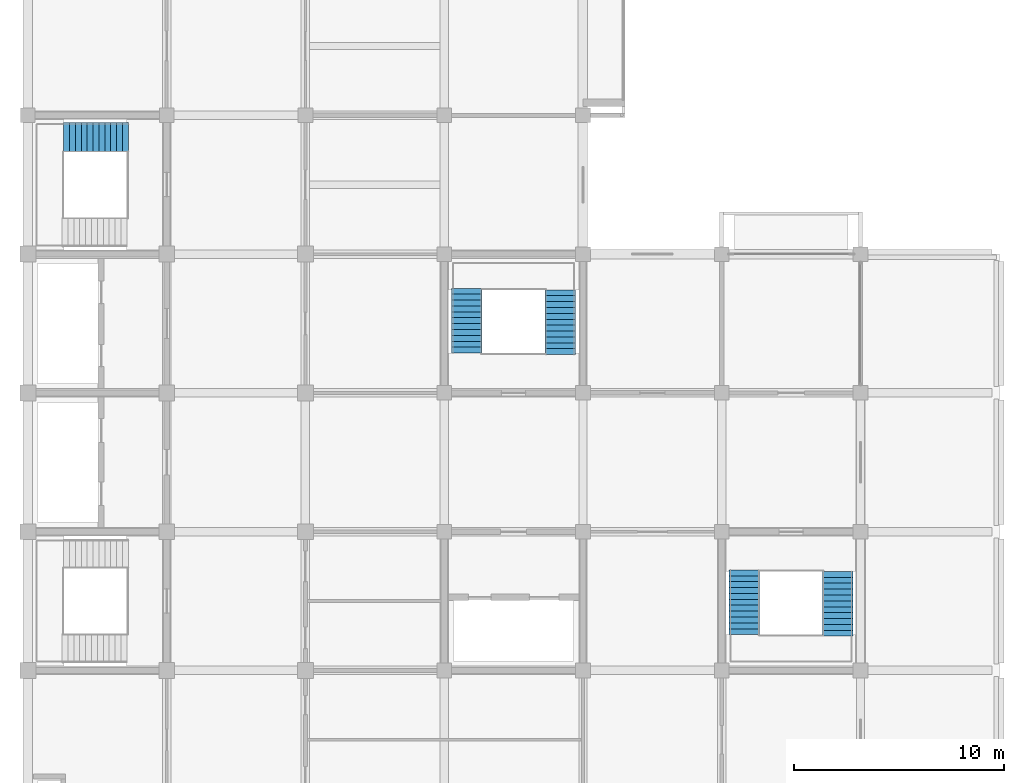
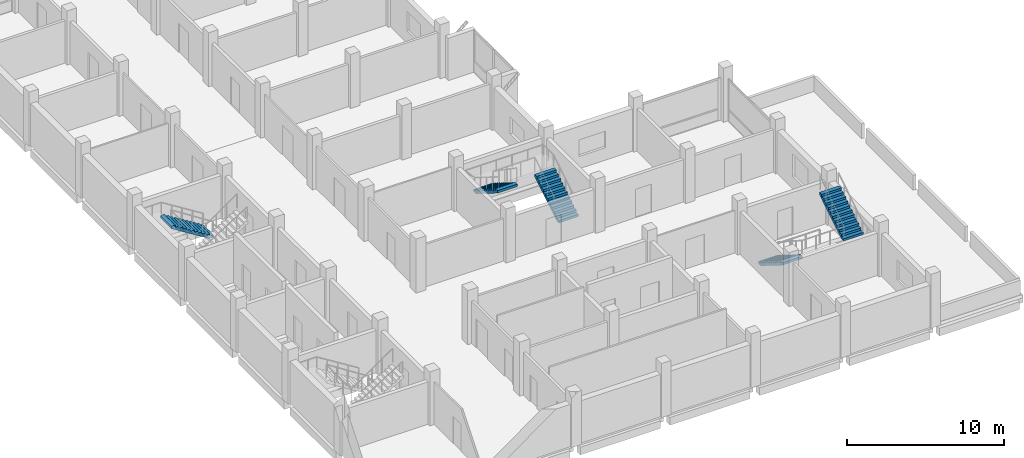
# One storey, part 9 of 10: 5 stair flights, 3 elements without a shape of their own.
"""IFC4 building model written with IfcOpenShell, lengths in metres."""

from ifc_helpers import new_model, si_unit, direction, frame, origin, place, context, subcontext, project, spatial, polyline, outline, extrude, material, type_object, element, aggregate, save


model = new_model("IFC4")

# Units and contexts
model_context = context("Model", 3, precision=1e-05, world=origin(), true_north=direction((0.0, 1.0)))
body_context = subcontext(model_context, "Body", "Model", "MODEL_VIEW")
ifc_project = project(units=[si_unit("LENGTHUNIT", "METRE"), si_unit("AREAUNIT", "SQUARE_METRE"), si_unit("VOLUMEUNIT", "CUBIC_METRE"), si_unit("PLANEANGLEUNIT", "RADIAN"), si_unit("MASSUNIT", "GRAM", prefix="KILO")], contexts=[model_context])

# Site, building, storey
site_placement = place(None, origin())
site = spatial("IfcSite", under=ifc_project, at=site_placement, CompositionType="ELEMENT")
building_placement = place(site_placement, origin())
building = spatial("IfcBuilding", under=site, at=building_placement, Name="Rusizi Kubbe Research Institute", CompositionType="ELEMENT")
storey_placement = place(building_placement, frame((0.0, 0.0, 43.800048828125)))
storey = spatial("IfcBuildingStorey", under=building, at=storey_placement, Name="L10", CompositionType="ELEMENT", Elevation=43.800048828125)

# Stair, stair flight
ifc_material_1 = material(Name="Concrete C40/50", Category="concrete")
stair_type_1 = type_object("IfcStairType", Name="ST-H420A", PredefinedType="HALF_TURN_STAIR", material=ifc_material_1)
stair_1_placement = place(storey_placement, origin())
stair_1 = element("IfcStair", 1, at=stair_1_placement, inside=storey, type_object=stair_type_1, Name="Protected Exit Stair ST2 (L10)", PredefinedType="HALF_TURN_STAIR")
ifc_material_2 = material(Name="Concrete C40/50", Category="concrete")
stair_flight_type_1 = type_object("IfcStairFlightType", Name="FL-H420A", PredefinedType="STRAIGHT", material=ifc_material_2)
stair_flight_1_placement = place(storey_placement, frame((4.780029296875, 31.949951171875, 0.0), z_axis=(0.0, 0.0, 1.0), x_axis=(-1.0, 0.0, 0.0)))
stair_flight_1 = element("IfcStairFlight", 2, at=stair_flight_1_placement, type_object=stair_flight_type_1, Name="ST2 flight 1", NumberOfRisers=12, NumberOfTreads=11, PredefinedType="STRAIGHT", RiserHeight=0.175, TreadLength=0.28, context=body_context, shape_type="SweptSolid", body=[
    extrude(outline(polyline([(0.0, 0.0), (0.0, 0.175048828125), (0.280029296875, 0.175048828125), (0.280029296875, 0.35009765625), (0.56005859375, 0.35009765625), (0.56005859375, 0.52490234375), (0.840087890625, 0.52490234375), (0.840087890625, 0.699951171875), (1.1201171875, 0.699951171875), (1.1201171875, 0.875), (1.39990234375, 0.875), (1.39990234375, 1.050048828125), (1.679931640625, 1.050048828125), (1.679931640625, 1.22509765625), (1.9599609375, 1.22509765625), (1.9599609375, 1.39990234375), (2.239990234375, 1.39990234375), (2.239990234375, 1.574951171875), (2.52001953125, 1.574951171875), (2.52001953125, 1.75), (2.800048828125, 1.75), (2.800048828125, 1.925048828125), (3.080078125, 1.925048828125), (3.080078125, 2.10009765625), (3.080078125, 1.736328125), (0.3017578125, 0.0), (0.0, 0.0)])), frame((0.0, 0.699951171875, 0.0), z_axis=(0.0, -1.0, 0.0), x_axis=(1.0, 0.0, 0.0)), (0.0, 0.0, 1.0), 1.39990234375),
])
aggregate(stair_1, [stair_flight_1])

# Stair, stair flights
ifc_material_3 = material(Name="Concrete C40/50", Category="concrete")
stair_type_2 = type_object("IfcStairType", Name="ST-H420B", PredefinedType="HALF_TURN_STAIR", material=ifc_material_3)
stair_2_placement = place(storey_placement, origin())
stair_2 = element("IfcStair", 3, at=stair_2_placement, inside=storey, type_object=stair_type_2, Name="Protected Exit Stair ST3 (L10)", PredefinedType="HALF_TURN_STAIR")
ifc_material_4 = material(Name="Concrete C40/50", Category="concrete")
stair_flight_type_2 = type_object("IfcStairFlightType", Name="FL-H420B", PredefinedType="STRAIGHT", material=ifc_material_4)
stair_flight_2_placement = place(storey_placement, frame((25.324951171875, 21.6201171875, 0.0), z_axis=(0.0, 0.0, 1.0), x_axis=(0.0, 1.0, 0.0)))
stair_flight_2 = element("IfcStairFlight", 4, at=stair_flight_2_placement, type_object=stair_flight_type_2, Name="ST3 flight 1", NumberOfRisers=12, NumberOfTreads=11, PredefinedType="STRAIGHT", RiserHeight=0.175, TreadLength=0.28, context=body_context, shape_type="SweptSolid", body=[
    extrude(outline(polyline([(0.0, 0.0), (0.0, 0.175048828125), (0.280029296875, 0.175048828125), (0.280029296875, 0.35009765625), (0.56005859375, 0.35009765625), (0.56005859375, 0.52490234375), (0.840087890625, 0.52490234375), (0.840087890625, 0.699951171875), (1.1201171875, 0.699951171875), (1.1201171875, 0.875), (1.39990234375, 0.875), (1.39990234375, 1.050048828125), (1.679931640625, 1.050048828125), (1.679931640625, 1.22509765625), (1.9599609375, 1.22509765625), (1.9599609375, 1.39990234375), (2.239990234375, 1.39990234375), (2.239990234375, 1.574951171875), (2.52001953125, 1.574951171875), (2.52001953125, 1.75), (2.800048828125, 1.75), (2.800048828125, 1.925048828125), (3.080078125, 1.925048828125), (3.080078125, 2.10009765625), (3.080078125, 1.736328125), (0.3017578125, 0.0), (0.0, 0.0)])), frame((0.0, 0.72509765625, 0.0), z_axis=(0.0, -1.0, 0.0), x_axis=(1.0, 0.0, 0.0)), (0.0, 0.0, 1.0), 1.449951171875),
])
stair_flight_3_placement = place(storey_placement, frame((20.875, 24.77392578125, 2.099853515625), z_axis=(0.0, 0.0, 1.0), x_axis=(0.0, -1.0, 0.0)))
stair_flight_3 = element("IfcStairFlight", 5, at=stair_flight_3_placement, type_object=stair_flight_type_2, Name="ST3 flight 2", NumberOfRisers=12, NumberOfTreads=11, PredefinedType="STRAIGHT", RiserHeight=0.175, TreadLength=0.28, context=body_context, shape_type="SweptSolid", body=[
    extrude(outline(polyline([(0.0, 0.0), (0.0, 0.175048828125), (0.280029296875, 0.175048828125), (0.280029296875, 0.35009765625), (0.56005859375, 0.35009765625), (0.56005859375, 0.52490234375), (0.840087890625, 0.52490234375), (0.840087890625, 0.699951171875), (1.1201171875, 0.699951171875), (1.1201171875, 0.875), (1.39990234375, 0.875), (1.39990234375, 1.050048828125), (1.679931640625, 1.050048828125), (1.679931640625, 1.22509765625), (1.9599609375, 1.22509765625), (1.9599609375, 1.39990234375), (2.239990234375, 1.39990234375), (2.239990234375, 1.574951171875), (2.52001953125, 1.574951171875), (2.52001953125, 1.75), (2.800048828125, 1.75), (2.800048828125, 1.925048828125), (3.080078125, 1.925048828125), (3.080078125, 2.10009765625), (3.080078125, 1.736328125), (0.3017578125, 0.0), (0.0, 0.0)])), frame((0.0, 0.72509765625, 0.0), z_axis=(0.0, -1.0, 0.0), x_axis=(1.0, 0.0, 0.0)), (0.0, 0.0, 1.0), 1.449951171875),
])
aggregate(stair_2, [stair_flight_2, stair_flight_3])

stair_3_placement = place(storey_placement, origin())
stair_3 = element("IfcStair", 6, at=stair_3_placement, inside=storey, type_object=stair_type_2, Name="Protected Exit Stair ST4 (L10)", PredefinedType="HALF_TURN_STAIR")
stair_flight_4_placement = place(storey_placement, frame((34.074951171875, 11.3798828125, 0.0), z_axis=(0.0, 0.0, 1.0), x_axis=(0.0, -1.0, 0.0)))
stair_flight_4 = element("IfcStairFlight", 7, at=stair_flight_4_placement, type_object=stair_flight_type_2, Name="ST4 flight 1", NumberOfRisers=12, NumberOfTreads=11, PredefinedType="STRAIGHT", RiserHeight=0.175, TreadLength=0.28, context=body_context, shape_type="SweptSolid", body=[
    extrude(outline(polyline([(0.0, 0.0), (0.0, 0.175048828125), (0.280029296875, 0.175048828125), (0.280029296875, 0.35009765625), (0.56005859375, 0.35009765625), (0.56005859375, 0.52490234375), (0.840087890625, 0.52490234375), (0.840087890625, 0.699951171875), (1.1201171875, 0.699951171875), (1.1201171875, 0.875), (1.39990234375, 0.875), (1.39990234375, 1.050048828125), (1.679931640625, 1.050048828125), (1.679931640625, 1.22509765625), (1.9599609375, 1.22509765625), (1.9599609375, 1.39990234375), (2.239990234375, 1.39990234375), (2.239990234375, 1.574951171875), (2.52001953125, 1.574951171875), (2.52001953125, 1.75), (2.800048828125, 1.75), (2.800048828125, 1.925048828125), (3.080078125, 1.925048828125), (3.080078125, 2.10009765625), (3.080078125, 1.736328125), (0.3017578125, 0.0), (0.0, 0.0)])), frame((0.0, 0.72509765625, 0.0), z_axis=(0.0, -1.0, 0.0), x_axis=(1.0, 0.0, 0.0)), (0.0, 0.0, 1.0), 1.449951171875),
])
stair_flight_5_placement = place(storey_placement, frame((38.52490234375, 8.22607421875, 2.099853515625), z_axis=(0.0, 0.0, 1.0), x_axis=(0.0, 1.0, 0.0)))
stair_flight_5 = element("IfcStairFlight", 8, at=stair_flight_5_placement, type_object=stair_flight_type_2, Name="ST4 flight 2", NumberOfRisers=12, NumberOfTreads=11, PredefinedType="STRAIGHT", RiserHeight=0.175, TreadLength=0.28, context=body_context, shape_type="SweptSolid", body=[
    extrude(outline(polyline([(0.0, 0.0), (0.0, 0.175048828125), (0.280029296875, 0.175048828125), (0.280029296875, 0.35009765625), (0.56005859375, 0.35009765625), (0.56005859375, 0.52490234375), (0.840087890625, 0.52490234375), (0.840087890625, 0.699951171875), (1.1201171875, 0.699951171875), (1.1201171875, 0.875), (1.39990234375, 0.875), (1.39990234375, 1.050048828125), (1.679931640625, 1.050048828125), (1.679931640625, 1.22509765625), (1.9599609375, 1.22509765625), (1.9599609375, 1.39990234375), (2.239990234375, 1.39990234375), (2.239990234375, 1.574951171875), (2.52001953125, 1.574951171875), (2.52001953125, 1.75), (2.800048828125, 1.75), (2.800048828125, 1.925048828125), (3.080078125, 1.925048828125), (3.080078125, 2.10009765625), (3.080078125, 1.736328125), (0.3017578125, 0.0), (0.0, 0.0)])), frame((0.0, 0.72509765625, 0.0), z_axis=(0.0, -1.0, 0.0), x_axis=(1.0, 0.0, 0.0)), (0.0, 0.0, 1.0), 1.449951171875),
])
aggregate(stair_3, [stair_flight_4, stair_flight_5])

save(model, "model.ifc")
